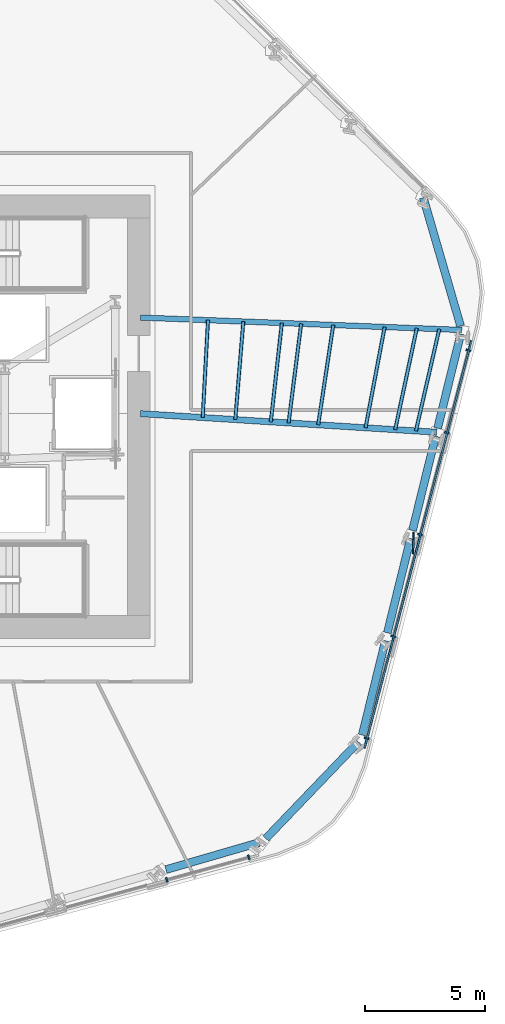
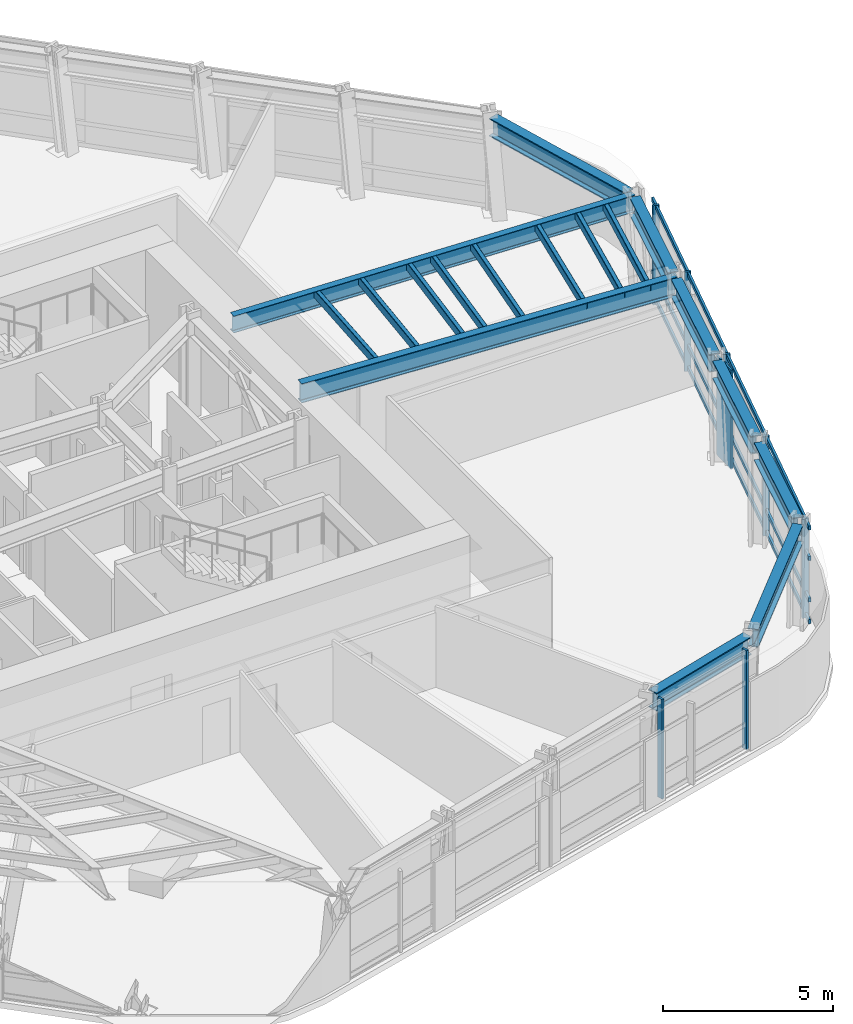
# One storey, part 4 of 16: 20 members, 9 beams, 2 elements without a shape of their own.
"""IFC4 building model written with IfcOpenShell, lengths in metres."""

import ifcopenshell
import ifcopenshell.guid

model = None  # the IFC model being written
_history = None  # IfcOwnerHistory: only IFC2X3 demands one
_inside = {}  # id of a spatial element -> (the spatial element, [elements in it])
_under = {}  # id of a project, library or spatial element -> (it, [spatial elements below it])
_declared = {}  # id of a project -> (the project, [libraries it declares])
_typed = {}  # id of a type object -> (the type object, [elements of that type])
_made_of = {}  # id of a material, layer set ... -> (it, [elements and type objects made of it])


def new_model(schema):
    """Start an empty IFC model of exactly this schema.

    Asked for "IFC4X3", IfcOpenShell would pick the latest addendum, in which some entities
    have other attributes; the version numbers below select the first issue.
    IFC2X3 requires an IfcOwnerHistory on every rooted entity: one is made here for all.
    """
    global model, _history
    if schema == "IFC4X3":
        model = ifcopenshell.file(schema_version=(4, 3, 0, 0))
    else:
        model = ifcopenshell.file(schema=schema)
    _inside.clear()
    _under.clear()
    _declared.clear()
    _typed.clear()
    _made_of.clear()
    _history = None
    if model.schema == "IFC2X3":
        org = make("IfcOrganization", Name="unknown")
        user = make(
            "IfcPersonAndOrganization",
            ThePerson=make("IfcPerson", FamilyName="unknown"),
            TheOrganization=org,
        )
        app = make(
            "IfcApplication",
            ApplicationDeveloper=org,
            Version="unknown",
            ApplicationFullName="unknown",
            ApplicationIdentifier="unknown",
        )
        _history = make(
            "IfcOwnerHistory",
            OwningUser=user,
            OwningApplication=app,
            ChangeAction="ADDED",
            CreationDate=0,
        )
    return model


def make(cls, **values):
    """One entity of the class cls with the attributes given. An attribute that is None is left unset."""
    return model.create_entity(
        cls, **{name: value for name, value in values.items() if value is not None}
    )


def rooted(cls, **values):
    """An entity with a GlobalId (a new one), such as an element, a storey or a relation."""
    return make(cls, GlobalId=ifcopenshell.guid.new(), OwnerHistory=_history, **values)


def si_unit(unit_type, name, prefix=None):
    """IfcSIUnit, for example si_unit("LENGTHUNIT", "METRE", prefix="MILLI")."""
    return make("IfcSIUnit", UnitType=unit_type, Prefix=prefix, Name=name)


def assignment(units):
    """IfcUnitAssignment: the units of a project."""
    return None if units is None else make("IfcUnitAssignment", Units=units)


def point(xyz):
    """IfcCartesianPoint."""
    return None if xyz is None else make("IfcCartesianPoint", Coordinates=xyz)


def direction(xyz):
    """IfcDirection."""
    return None if xyz is None else make("IfcDirection", DirectionRatios=xyz)


def frame(location, z_axis=None, x_axis=None):
    """IfcAxis2Placement3D, a coordinate frame: its origin and axes. An axis left out is left unset."""
    return make(
        "IfcAxis2Placement3D",
        Location=point(location),
        Axis=direction(z_axis),
        RefDirection=direction(x_axis),
    )


def frame_2d(location, x_axis=None):
    """IfcAxis2Placement2D, a coordinate frame in the plane: its origin and x axis."""
    return make(
        "IfcAxis2Placement2D", Location=point(location), RefDirection=direction(x_axis)
    )


def origin():
    """The frame at (0, 0, 0) with its axes left unset."""
    return frame((0.0, 0.0, 0.0))


def origin_2d():
    """The frame at (0, 0) in the plane with its x axis left unset."""
    return frame_2d((0.0, 0.0))


def place(relative_to, where):
    """IfcLocalPlacement: puts the frame where relative to a parent placement (None: the world)."""
    return make(
        "IfcLocalPlacement", PlacementRelTo=relative_to, RelativePlacement=where
    )


def context(
    kind, dimensions, precision=None, world=None, true_north=None, identifier=None
):
    """IfcGeometricRepresentationContext, for example the 3D "Model" context."""
    return make(
        "IfcGeometricRepresentationContext",
        ContextIdentifier=identifier,
        ContextType=kind,
        CoordinateSpaceDimension=dimensions,
        Precision=precision,
        WorldCoordinateSystem=world,
        TrueNorth=true_north,
    )


def subcontext(parent, identifier, kind, view, scale=None):
    """IfcGeometricRepresentationSubContext, for example "Body" below "Model"."""
    return make(
        "IfcGeometricRepresentationSubContext",
        ContextIdentifier=identifier,
        ContextType=kind,
        ParentContext=parent,
        TargetScale=scale,
        TargetView=view,
    )


def project(units=None, contexts=None):
    """IfcProject with its units and contexts."""
    return rooted(
        "IfcProject",
        Name="project",
        RepresentationContexts=contexts,
        UnitsInContext=assignment(units),
    )


def spatial(cls, under=None, at=None, **own):
    """A site, building, storey or space (cls), placed at a placement, below another one or the project."""
    s = rooted(cls, ObjectPlacement=at, **own)
    if under is not None:
        _under.setdefault(under.id(), (under, []))[1].append(s)
    return s


def profile(cls, at=None, kind="AREA", **sizes):
    """A parametric profile (cls). Its sizes go by their IFC names, for example OverallWidth=200.0."""
    return make(cls, ProfileType=kind, Position=at, **sizes)


def rectangle(**sizes):
    """IfcRectangleProfileDef."""
    return profile("IfcRectangleProfileDef", **sizes)


def hollow_rectangle(**sizes):
    """IfcRectangleHollowProfileDef."""
    return profile("IfcRectangleHollowProfileDef", **sizes)


def i_section(**sizes):
    """IfcIShapeProfileDef."""
    return profile("IfcIShapeProfileDef", **sizes)


def extrude(swept, where, along, depth):
    """IfcExtrudedAreaSolid: the profile swept, set in the frame where, extruded along a direction by depth."""
    return make(
        "IfcExtrudedAreaSolid",
        SweptArea=swept,
        Position=where,
        ExtrudedDirection=direction(along),
        Depth=depth,
    )


def shape(context_of_items, identifier, shape_type, items):
    """IfcShapeRepresentation: the items that make up one representation, for example the "Body"."""
    return make(
        "IfcShapeRepresentation",
        ContextOfItems=context_of_items,
        RepresentationIdentifier=identifier,
        RepresentationType=shape_type,
        Items=items,
    )


def material(Name=None, Category=None):
    """IfcMaterial."""
    return make("IfcMaterial", Name=Name, Category=Category)


def layer(
    of_material, thickness, ventilated=None, Name=None, Category=None, Priority=None
):
    """IfcMaterialLayer: one layer of a wall or slab, of a material (None: an air gap)."""
    return make(
        "IfcMaterialLayer",
        Material=of_material,
        LayerThickness=thickness,
        IsVentilated=ventilated,
        Name=Name,
        Category=Category,
        Priority=Priority,
    )


def layer_set(layers, Name=None):
    """IfcMaterialLayerSet."""
    return make("IfcMaterialLayerSet", MaterialLayers=layers, LayerSetName=Name)


def material_profile(
    of_material, cross_section, Name=None, Category=None, Priority=None
):
    """IfcMaterialProfile: a cross section and its material."""
    return make(
        "IfcMaterialProfile",
        Name=Name,
        Material=of_material,
        Profile=cross_section,
        Priority=Priority,
        Category=Category,
    )


def profile_set(profiles, Name=None, composite=None):
    """IfcMaterialProfileSet."""
    return make(
        "IfcMaterialProfileSet",
        Name=Name,
        MaterialProfiles=profiles,
        CompositeProfile=composite,
    )


def made_of(thing, what):
    """Note that an element or type object is made of a material, layer set ...; save() writes the relation."""
    if what is not None:
        _made_of.setdefault(what.id(), (what, []))[1].append(thing)
    return thing


def type_object(cls, material=None, **own):
    """A type object (cls), such as IfcWallType, which elements share."""
    return made_of(rooted(cls, **own), material)


def element(
    cls,
    number,
    at=None,
    inside=None,
    cuts=None,
    type_object=None,
    material=None,
    context=None,
    identifier="Body",
    shape_type=None,
    held_by="IfcProductDefinitionShape",
    body=None,
    shapes=None,
    **own,
):
    """One element of the class cls, such as IfcWall. Its Tag is "e" and its number.

    at: its placement. inside: the storey or other place that contains it. cuts: it is an
    opening in that element (IfcRelVoidsElement). A single representation is given by context,
    identifier, shape_type and body (its items); several are given by shapes. held_by: the class
    of the entity that holds the representations. save() writes the other relations.
    """
    e = rooted(cls, Tag="e%d" % number, ObjectPlacement=at, **own)
    if body is not None:
        shapes = [shape(context, identifier, shape_type, body)]
    if shapes is not None:
        e.Representation = make(held_by, Representations=shapes)
    if inside is not None:
        _inside.setdefault(inside.id(), (inside, []))[1].append(e)
    if cuts is not None:
        rooted(
            "IfcRelVoidsElement", RelatingBuildingElement=cuts, RelatedOpeningElement=e
        )
    if type_object is not None:
        _typed.setdefault(type_object.id(), (type_object, []))[1].append(e)
    return made_of(e, material)


def aggregate(whole, parts):
    """IfcRelAggregates: a whole, such as a stair, and the parts it consists of."""
    return rooted("IfcRelAggregates", RelatingObject=whole, RelatedObjects=parts)


def save(model, path):
    """Write the relations noted so far, then the file.

    IfcRelAggregates (storeys below a building ...), IfcRelContainedInSpatialStructure (elements
    in a storey), IfcRelDefinesByType, IfcRelAssociatesMaterial and IfcRelDeclares: one each for
    every whole, place, type object, material and project.
    """
    for whole, parts in _under.values():
        aggregate(whole, parts)
    for where, things in _inside.values():
        rooted(
            "IfcRelContainedInSpatialStructure",
            RelatedElements=things,
            RelatingStructure=where,
        )
    for kind, things in _typed.values():
        rooted("IfcRelDefinesByType", RelatedObjects=things, RelatingType=kind)
    for what, things in _made_of.values():
        rooted("IfcRelAssociatesMaterial", RelatedObjects=things, RelatingMaterial=what)
    for by, libraries in _declared.values():
        rooted("IfcRelDeclares", RelatingContext=by, RelatedDefinitions=libraries)
    model.write(path)


model = new_model("IFC4")

# Units and contexts
model_context = context("Model", 3, precision=1e-05, world=origin(), true_north=direction((0.0, 1.0)))
body_context = subcontext(model_context, "Body", "Model", "MODEL_VIEW")
ifc_project = project(units=[si_unit("LENGTHUNIT", "METRE"), si_unit("AREAUNIT", "SQUARE_METRE"), si_unit("VOLUMEUNIT", "CUBIC_METRE"), si_unit("PLANEANGLEUNIT", "RADIAN"), si_unit("MASSUNIT", "GRAM", prefix="KILO")], contexts=[model_context])

# Site, building, storey
site_placement = place(None, origin())
site = spatial("IfcSite", under=ifc_project, at=site_placement, CompositionType="ELEMENT")
building_placement = place(site_placement, origin())
building = spatial("IfcBuilding", under=site, at=building_placement, Name="Valkerne Bourse Tower", CompositionType="ELEMENT")
storey_placement = place(building_placement, frame((0.0, 0.0, 89.60009765625)))
storey = spatial("IfcBuildingStorey", under=building, at=storey_placement, Name="L22", CompositionType="ELEMENT", Elevation=89.60009765625)

# Beams
ifc_material_1 = material(Name="Steel ASTM A992", Category="steel")
ifc_material_profile_1 = material_profile(ifc_material_1, i_section(OverallWidth=0.330078125, OverallDepth=0.647705078125, WebThickness=0.0205078125, FlangeThickness=0.037109375, FilletRadius=0.020263671875, at=origin_2d()), Name="W24X192")
ifc_profile_set_1 = profile_set([ifc_material_profile_1], Name="Steel ASTM A992")
beam_type_1 = type_object("IfcBeamType", Name="BM-W24X192", PredefinedType="SPANDREL", material=ifc_profile_set_1)
beam_1_placement = place(storey_placement, frame((57.055419921875, 8.019775390625, 3.256103515625), z_axis=(0.960297707437, 0.278977262677, 0.0), x_axis=(-0.278977262677, 0.960297707437, 0.0)))
element("IfcBeam", 1, at=beam_1_placement, inside=storey, type_object=beam_type_1, Name="L22 Hexagonal Spandrel Ring Beam 23", PredefinedType="SPANDREL", context=body_context, shape_type="SweptSolid", body=[
    extrude(i_section(OverallWidth=0.330078125, OverallDepth=0.647705078125, WebThickness=0.0205078125, FlangeThickness=0.037109375, FilletRadius=0.020263671875, at=origin_2d()), origin(), (0.0, 0.0, 1.0), 4.04296875),
])
beam_2_placement = place(storey_placement, frame((61.218994140625, 9.31787109375, 3.256103515625), z_axis=(0.692121647803, 0.721780870238, 0.0), x_axis=(-0.721780870238, 0.692121647803, 0.0)))
element("IfcBeam", 2, at=beam_2_placement, inside=storey, type_object=beam_type_1, Name="L22 Hexagonal Spandrel Ring Beam 24", PredefinedType="SPANDREL", context=body_context, shape_type="SweptSolid", body=[
    extrude(i_section(OverallWidth=0.330078125, OverallDepth=0.647705078125, WebThickness=0.0205078125, FlangeThickness=0.037109375, FilletRadius=0.020263671875, at=origin_2d()), origin(), (0.0, 0.0, 1.0), 5.564453125),
])
for number, where, z_axis, x_axis, name in (
    (3, (65.228515625, 13.6220703125, 3.256103515625), (0.23852673357, 0.97113593146, 0.0), (-0.97113593146, 0.23852673357, 0.0), "L22 Hexagonal Spandrel Ring Beam 25"),
    (4, (66.274169921875, 17.87841796875, 3.256103515625), (0.238469781515, 0.971149918037, 0.0), (-0.971149918037, 0.238469781515, 0.0), "L22 Hexagonal Spandrel Ring Beam 26"),
    (5, (67.319580078125, 22.135009765625, 3.256103515625), (0.23852673357, 0.97113593146, 0.0), (-0.97113593146, 0.23852673357, 0.0), "L22 Hexagonal Spandrel Ring Beam 27"),
):
    element("IfcBeam", number, at=place(storey_placement, frame(where, z_axis=z_axis, x_axis=x_axis)), inside=storey, type_object=beam_type_1, Name=name, PredefinedType="SPANDREL", context=body_context, shape_type="SweptSolid", body=[
        extrude(i_section(OverallWidth=0.330078125, OverallDepth=0.647705078125, WebThickness=0.0205078125, FlangeThickness=0.037109375, FilletRadius=0.020263671875, at=origin_2d()), origin(), (0.0, 0.0, 1.0), 4.04296875),
    ])
beam_3_placement = place(storey_placement, frame((68.364990234375, 26.3916015625, 3.256103515625), z_axis=(0.238540722411, 0.971132495467, 0.0), x_axis=(-0.971132495467, 0.238540722411, 0.0)))
element("IfcBeam", 6, at=beam_3_placement, inside=storey, type_object=beam_type_1, Name="L22 Hexagonal Spandrel Ring Beam 28", PredefinedType="SPANDREL", context=body_context, shape_type="SweptSolid", body=[
    extrude(i_section(OverallWidth=0.330078125, OverallDepth=0.647705078125, WebThickness=0.0205078125, FlangeThickness=0.037109375, FilletRadius=0.020263671875, at=origin_2d()), origin(), (0.0, 0.0, 1.0), 4.042724609375),
])
beam_4_placement = place(storey_placement, frame((69.322509765625, 30.64599609375, 3.256103515625), z_axis=(-0.279000763263, 0.960290879941, 0.0), x_axis=(-0.960290879941, -0.279000763263, 0.0)))
element("IfcBeam", 7, at=beam_4_placement, inside=storey, type_object=beam_type_1, Name="L22 Hexagonal Spandrel Ring Beam 29", PredefinedType="SPANDREL", context=body_context, shape_type="SweptSolid", body=[
    extrude(i_section(OverallWidth=0.330078125, OverallDepth=0.647705078125, WebThickness=0.0205078125, FlangeThickness=0.037109375, FilletRadius=0.020263671875, at=origin_2d()), origin(), (0.0, 0.0, 1.0), 5.564453125),
])
ifc_material_profile_2 = material_profile(ifc_material_1, i_section(OverallWidth=0.228271484375, OverallDepth=0.607177734375, WebThickness=0.01123046875, FlangeThickness=0.017333984375, FilletRadius=0.017822265625, at=origin_2d()), Name="W24X76")
ifc_profile_set_2 = profile_set([ifc_material_profile_2], Name="Steel ASTM A992")
beam_type_2 = type_object("IfcBeamType", Name="BM-W24X76", PredefinedType="JOIST", material=ifc_profile_set_2)
beam_5_placement = place(storey_placement, frame((69.3701171875, 30.48291015625, 3.2763671875), z_axis=(-0.999252958504, 0.038646150137, 0.0), x_axis=(-0.038646150137, -0.999252958504, 0.0)))
element("IfcBeam", 8, at=beam_5_placement, inside=storey, type_object=beam_type_2, Name="L22 Radial Composite Floor Beam 29", PredefinedType="JOIST", context=body_context, shape_type="SweptSolid", body=[
    extrude(i_section(OverallWidth=0.228271484375, OverallDepth=0.607177734375, WebThickness=0.01123046875, FlangeThickness=0.017333984375, FilletRadius=0.017822265625, at=origin_2d()), origin(), (0.0, 0.0, 1.0), 13.380126953125),
])
ifc_material_profile_3 = material_profile(ifc_material_1, i_section(OverallWidth=0.255859375, OverallDepth=0.693359375, WebThickness=0.014404296875, FlangeThickness=0.023681640625, FilletRadius=0.02294921875, at=origin_2d()), Name="W27X114")
ifc_profile_set_3 = profile_set([ifc_material_profile_3], Name="Steel ASTM A992")
beam_type_3 = type_object("IfcBeamType", Name="BM-W27X114", PredefinedType="BEAM", material=ifc_profile_set_3)
beam_6_placement = place(storey_placement, frame((68.324462890625, 26.226318359375, 3.233154296875), z_axis=(-0.998035385779, 0.062652763169, 0.0), x_axis=(-0.062652763169, -0.998035385779, 0.0)))
element("IfcBeam", 9, at=beam_6_placement, inside=storey, type_object=beam_type_3, Name="L22 Radial Composite Floor Beam 28", PredefinedType="BEAM", context=body_context, shape_type="SweptSolid", body=[
    extrude(i_section(OverallWidth=0.255859375, OverallDepth=0.693359375, WebThickness=0.014404296875, FlangeThickness=0.023681640625, FilletRadius=0.02294921875, at=origin_2d()), origin(), (0.0, 0.0, 1.0), 12.3486328125),
])

# Curtain wall, members
ifc_material_2 = material(Name="Aluminium AA 6063-T6", Category="aluminium")
ifc_layer = layer(ifc_material_2, 0.22998046875)
ifc_layer_set = layer_set([ifc_layer], Name="Aluminium AA 6063-T6")
curtain_wall_type = type_object("IfcCurtainWallType", Name="CW-02", PredefinedType="NOTDEFINED", material=ifc_layer_set)
curtain_wall_1_placement = place(storey_placement, origin())
curtain_wall_1 = element("IfcCurtainWall", 10, at=curtain_wall_1_placement, inside=storey, type_object=curtain_wall_type, Name="L22 Hexagonal Stick Curtain Wall Face 5", PredefinedType="NOTDEFINED")
ifc_material_profile_4 = material_profile(ifc_material_2, rectangle(XDim=0.074951171875, YDim=0.199951171875, at=origin_2d()), Name="CWM-75X200")
ifc_profile_set_4 = profile_set([ifc_material_profile_4], Name="Aluminium AA 6063-T6")
member_type_1 = type_object("IfcMemberType", Name="CW-MUL-220X75", PredefinedType="MULLION", material=ifc_profile_set_4)
member_1_placement = place(storey_placement, frame((57.0869140625, 7.59912109375, 0.0), z_axis=(0.0, 0.0, 1.0), x_axis=(0.964555551125, 0.26387987569, 0.0)))
member_1 = element("IfcMember", 11, at=member_1_placement, type_object=member_type_1, Name="CW-L22-F5 Jamb Mullion 03A", PredefinedType="MULLION", context=body_context, shape_type="SweptSolid", body=[
    extrude(rectangle(XDim=0.074951171875, YDim=0.199951171875, at=origin_2d()), origin(), (0.0, 0.0, 1.0), 3.579833984375),
])
member_2_placement = place(storey_placement, frame((60.50439453125, 8.533935546875, 0.0), z_axis=(0.0, 0.0, 1.0), x_axis=(0.964555551125, 0.26387987569, 0.0)))
member_2 = element("IfcMember", 12, at=member_2_placement, type_object=member_type_1, Name="CW-L22-F5 Jamb Mullion 03B", PredefinedType="MULLION", context=body_context, shape_type="SweptSolid", body=[
    extrude(rectangle(XDim=0.074951171875, YDim=0.199951171875, at=origin_2d()), origin(), (0.0, 0.0, 1.0), 3.579833984375),
])
aggregate(curtain_wall_1, [member_1, member_2])

curtain_wall_2_placement = place(storey_placement, origin())
curtain_wall_2 = element("IfcCurtainWall", 13, at=curtain_wall_2_placement, inside=storey, type_object=curtain_wall_type, Name="L22 Hexagonal Stick Curtain Wall Face 6", PredefinedType="NOTDEFINED")
member_3_placement = place(storey_placement, frame((65.408447265625, 13.48974609375, 0.0), z_axis=(0.0, 0.0, 1.0), x_axis=(0.253755382081, 0.967268425033, 0.0)))
member_3 = element("IfcMember", 14, at=member_3_placement, type_object=member_type_1, Name="CW-L22-F6 Jamb Mullion 00A", PredefinedType="MULLION", context=body_context, shape_type="SweptSolid", body=[
    extrude(rectangle(XDim=0.074951171875, YDim=0.199951171875, at=origin_2d()), origin(), (0.0, 0.0, 1.0), 3.579833984375),
])
member_4_placement = place(storey_placement, frame((66.520751953125, 17.729248046875, 0.0), z_axis=(0.0, 0.0, 1.0), x_axis=(0.253776728386, 0.967262824743, 0.0)))
member_4 = element("IfcMember", 15, at=member_4_placement, type_object=member_type_1, Name="CW-L22-F6 Jamb Mullion 01A", PredefinedType="MULLION", context=body_context, shape_type="SweptSolid", body=[
    extrude(rectangle(XDim=0.074951171875, YDim=0.199951171875, at=origin_2d()), origin(), (0.0, 0.0, 1.0), 3.579833984375),
])
member_5_placement = place(storey_placement, frame((67.6328125, 21.96875, 0.0), z_axis=(0.0, 0.0, 1.0), x_axis=(0.253749782108, 0.967269894125, 0.0)))
member_5 = element("IfcMember", 16, at=member_5_placement, type_object=member_type_1, Name="CW-L22-F6 Jamb Mullion 02A", PredefinedType="MULLION", context=body_context, shape_type="SweptSolid", body=[
    extrude(rectangle(XDim=0.074951171875, YDim=0.199951171875, at=origin_2d()), origin(), (0.0, 0.0, 1.0), 3.579833984375),
])
member_6_placement = place(storey_placement, frame((68.7451171875, 26.20849609375, 0.0), z_axis=(0.0, 0.0, 1.0), x_axis=(0.253755382081, 0.967268425033, 0.0)))
member_6 = element("IfcMember", 17, at=member_6_placement, type_object=member_type_1, Name="CW-L22-F6 Jamb Mullion 03A", PredefinedType="MULLION", context=body_context, shape_type="SweptSolid", body=[
    extrude(rectangle(XDim=0.074951171875, YDim=0.199951171875, at=origin_2d()), origin(), (0.0, 0.0, 1.0), 3.579833984375),
])
member_7_placement = place(storey_placement, frame((69.644287109375, 29.635498046875, 0.0), z_axis=(0.0, 0.0, 1.0), x_axis=(0.253755382081, 0.967268425033, 0.0)))
member_7 = element("IfcMember", 18, at=member_7_placement, type_object=member_type_1, Name="CW-L22-F6 Jamb Mullion 03B", PredefinedType="MULLION", context=body_context, shape_type="SweptSolid", body=[
    extrude(rectangle(XDim=0.074951171875, YDim=0.199951171875, at=origin_2d()), origin(), (0.0, 0.0, 1.0), 3.579833984375),
])
ifc_material_profile_5 = material_profile(ifc_material_2, rectangle(XDim=0.074951171875, YDim=0.14990234375, at=origin_2d()), Name="CWT-75X150")
ifc_profile_set_5 = profile_set([ifc_material_profile_5], Name="Aluminium AA 6063-T6")
member_type_2 = type_object("IfcMemberType", Name="CW-TRN-180X65", PredefinedType="USERDEFINED", material=ifc_profile_set_5)
member_8_placement = place(storey_placement, frame((65.3212890625, 13.078369140625, 0.119873046875), z_axis=(0.253748144148, 0.967270323819, 0.0), x_axis=(-0.967270323819, 0.253748144148, 0.0)))
member_8 = element("IfcMember", 19, at=member_8_placement, type_object=member_type_2, Name="CW-L22-F6 Continuous Face Transom 1", ObjectType="TRANSOM", PredefinedType="USERDEFINED", context=body_context, shape_type="SweptSolid", body=[
    extrude(rectangle(XDim=0.074951171875, YDim=0.14990234375, at=origin_2d()), origin(), (0.0, 0.0, 1.0), 17.531982421875),
])
member_9_placement = place(storey_placement, frame((65.3212890625, 13.078369140625, 0.89990234375), z_axis=(0.253748144148, 0.967270323819, 0.0), x_axis=(-0.967270323819, 0.253748144148, 0.0)))
member_9 = element("IfcMember", 20, at=member_9_placement, type_object=member_type_2, Name="CW-L22-F6 Continuous Face Transom 2", ObjectType="TRANSOM", PredefinedType="USERDEFINED", context=body_context, shape_type="SweptSolid", body=[
    extrude(rectangle(XDim=0.074951171875, YDim=0.14990234375, at=origin_2d()), origin(), (0.0, 0.0, 1.0), 17.531982421875),
])
member_10_placement = place(storey_placement, frame((65.3212890625, 13.078369140625, 2.39990234375), z_axis=(0.253748144148, 0.967270323819, 0.0), x_axis=(-0.967270323819, 0.253748144148, 0.0)))
member_10 = element("IfcMember", 21, at=member_10_placement, type_object=member_type_2, Name="CW-L22-F6 Continuous Face Transom 3", ObjectType="TRANSOM", PredefinedType="USERDEFINED", context=body_context, shape_type="SweptSolid", body=[
    extrude(rectangle(XDim=0.074951171875, YDim=0.14990234375, at=origin_2d()), origin(), (0.0, 0.0, 1.0), 17.531982421875),
])
member_11_placement = place(storey_placement, frame((65.3212890625, 13.078369140625, 3.5), z_axis=(0.253748144148, 0.967270323819, 0.0), x_axis=(-0.967270323819, 0.253748144148, 0.0)))
member_11 = element("IfcMember", 22, at=member_11_placement, type_object=member_type_2, Name="CW-L22-F6 Continuous Face Transom 4", ObjectType="TRANSOM", PredefinedType="USERDEFINED", context=body_context, shape_type="SweptSolid", body=[
    extrude(rectangle(XDim=0.074951171875, YDim=0.14990234375, at=origin_2d()), origin(), (0.0, 0.0, 1.0), 17.531982421875),
])
aggregate(curtain_wall_2, [member_8, member_9, member_10, member_11, member_3, member_4, member_5, member_6, member_7])

# Members
ifc_material_3 = material(Name="Bronze Anodised Aluminium AA 6063-T6", Category="aluminium")
ifc_material_profile_6 = material_profile(ifc_material_3, rectangle(XDim=0.070068359375, YDim=0.89990234375, at=origin_2d()), Name="FIN-70X900")
ifc_profile_set_6 = profile_set([ifc_material_profile_6], Name="Bronze Anodised Aluminium AA 6063-T6")
member_type_3 = type_object("IfcMemberType", Name="FIN-SOLAR-900", PredefinedType="USERDEFINED", material=ifc_profile_set_6)
member_12_placement = place(storey_placement, frame((67.352294921875, 21.608154296875, 0.00390625), z_axis=(0.0, 0.0, 1.0), x_axis=(0.999698241505, -0.024564729415, 0.0)))
element("IfcMember", 23, at=member_12_placement, inside=storey, type_object=member_type_3, Name="L22 Bronze Anodised Solar Fin F6-02", ObjectType="SOLAR_FIN", PredefinedType="USERDEFINED", context=body_context, shape_type="SweptSolid", body=[
    extrude(rectangle(XDim=0.070068359375, YDim=0.89990234375, at=origin_2d()), origin(), (0.0, 0.0, 1.0), 3.572021484375),
])
ifc_material_4 = material(Name="Steel ASTM A500 Grade C", Category="steel")
ifc_material_profile_7 = material_profile(ifc_material_4, hollow_rectangle(XDim=0.14990234375, YDim=0.300048828125, WallThickness=0.012451171875, OuterFilletRadius=0.02490234375, at=origin_2d()), Name="HSS300X150X12.5")
ifc_profile_set_7 = profile_set([ifc_material_profile_7], Name="Steel ASTM A500 Grade C")
member_type_4 = type_object("IfcMemberType", Name="MBR-HSS300X150X12.5", PredefinedType="PURLIN", material=ifc_profile_set_7)
member_13_placement = place(storey_placement, frame((59.94384765625, 26.75244140625, 3.419921875), z_axis=(0.081664119232, 0.996659907707, 0.0), x_axis=(-0.996659907707, 0.081664119232, 0.0)))
element("IfcMember", 24, at=member_13_placement, inside=storey, type_object=member_type_4, Name="L22 Secondary Composite Floor Purlin I-28", PredefinedType="PURLIN", context=body_context, shape_type="SweptSolid", body=[
    extrude(hollow_rectangle(XDim=0.14990234375, YDim=0.300048828125, WallThickness=0.012451171875, OuterFilletRadius=0.02490234375, at=origin_2d()), origin(), (0.0, 0.0, 1.0), 4.095703125),
])
member_14_placement = place(storey_placement, frame((61.4228515625, 26.65966796875, 3.419921875), z_axis=(0.111143736202, 0.993804341862, 0.0), x_axis=(-0.993804341862, 0.111143736202, 0.0)))
element("IfcMember", 25, at=member_14_placement, inside=storey, type_object=member_type_4, Name="L22 Secondary Composite Floor Purlin K-28", PredefinedType="PURLIN", context=body_context, shape_type="SweptSolid", body=[
    extrude(hollow_rectangle(XDim=0.14990234375, YDim=0.300048828125, WallThickness=0.012451171875, OuterFilletRadius=0.02490234375, at=origin_2d()), origin(), (0.0, 0.0, 1.0), 4.138427734375),
])
member_15_placement = place(storey_placement, frame((62.162353515625, 26.61328125, 3.419921875), z_axis=(0.125616003707, 0.992078938196, 0.0), x_axis=(-0.992078938196, 0.125616003707, 0.0)))
element("IfcMember", 26, at=member_15_placement, inside=storey, type_object=member_type_4, Name="L22 Secondary Composite Floor Purlin M-28", PredefinedType="PURLIN", context=body_context, shape_type="SweptSolid", body=[
    extrude(hollow_rectangle(XDim=0.14990234375, YDim=0.300048828125, WallThickness=0.012451171875, OuterFilletRadius=0.02490234375, at=origin_2d()), origin(), (0.0, 0.0, 1.0), 4.1611328125),
])
member_16_placement = place(storey_placement, frame((65.36669921875, 26.412109375, 3.419921875), z_axis=(0.186076686051, 0.982535224258, 0.0), x_axis=(-0.982535224258, 0.186076686051, 0.0)))
element("IfcMember", 27, at=member_16_placement, inside=storey, type_object=member_type_4, Name="L22 Secondary Composite Floor Purlin O-28", PredefinedType="PURLIN", context=body_context, shape_type="SweptSolid", body=[
    extrude(hollow_rectangle(XDim=0.14990234375, YDim=0.300048828125, WallThickness=0.012451171875, OuterFilletRadius=0.02490234375, at=origin_2d()), origin(), (0.0, 0.0, 1.0), 4.269287109375),
])
member_17_placement = place(storey_placement, frame((63.394775390625, 26.535888671875, 3.419921875), z_axis=(0.149300937028, 0.988791803264, 0.0), x_axis=(-0.988791803264, 0.149300937028, 0.0)))
element("IfcMember", 28, at=member_17_placement, inside=storey, type_object=member_type_4, Name="L22 Secondary Composite Floor Purlin Z-28", PredefinedType="PURLIN", context=body_context, shape_type="SweptSolid", body=[
    extrude(hollow_rectangle(XDim=0.14990234375, YDim=0.300048828125, WallThickness=0.012451171875, OuterFilletRadius=0.02490234375, at=origin_2d()), origin(), (0.0, 0.0, 1.0), 4.200927734375),
])
member_18_placement = place(storey_placement, frame((58.588134765625, 26.83740234375, 3.419921875), z_axis=(0.054061145839, 0.998537626988, 0.0), x_axis=(-0.998537626988, 0.054061145839, 0.0)))
element("IfcMember", 29, at=member_18_placement, inside=storey, type_object=member_type_4, Name="L22 Secondary Composite Floor Purlin S-28", PredefinedType="PURLIN", context=body_context, shape_type="SweptSolid", body=[
    extrude(hollow_rectangle(XDim=0.14990234375, YDim=0.300048828125, WallThickness=0.012451171875, OuterFilletRadius=0.02490234375, at=origin_2d()), origin(), (0.0, 0.0, 1.0), 4.059814453125),
])
member_19_placement = place(storey_placement, frame((66.59912109375, 26.334716796875, 3.419921875), z_axis=(0.208373664563, 0.978049291149, 0.0), x_axis=(-0.978049291149, 0.208373664563, 0.0)))
element("IfcMember", 30, at=member_19_placement, inside=storey, type_object=member_type_4, Name="L22 Secondary Composite Floor Purlin T-28", PredefinedType="PURLIN", context=body_context, shape_type="SweptSolid", body=[
    extrude(hollow_rectangle(XDim=0.14990234375, YDim=0.300048828125, WallThickness=0.012451171875, OuterFilletRadius=0.02490234375, at=origin_2d()), origin(), (0.0, 0.0, 1.0), 4.315185546875),
])
member_20_placement = place(storey_placement, frame((67.4619140625, 26.280517578125, 3.419921875), z_axis=(0.223559512688, 0.974690281211, 0.0), x_axis=(-0.974690281211, 0.223559512688, 0.0)))
element("IfcMember", 31, at=member_20_placement, inside=storey, type_object=member_type_4, Name="L22 Secondary Composite Floor Purlin U-28", PredefinedType="PURLIN", context=body_context, shape_type="SweptSolid", body=[
    extrude(hollow_rectangle(XDim=0.14990234375, YDim=0.300048828125, WallThickness=0.012451171875, OuterFilletRadius=0.02490234375, at=origin_2d()), origin(), (0.0, 0.0, 1.0), 4.3486328125),
])

save(model, "model.ifc")
